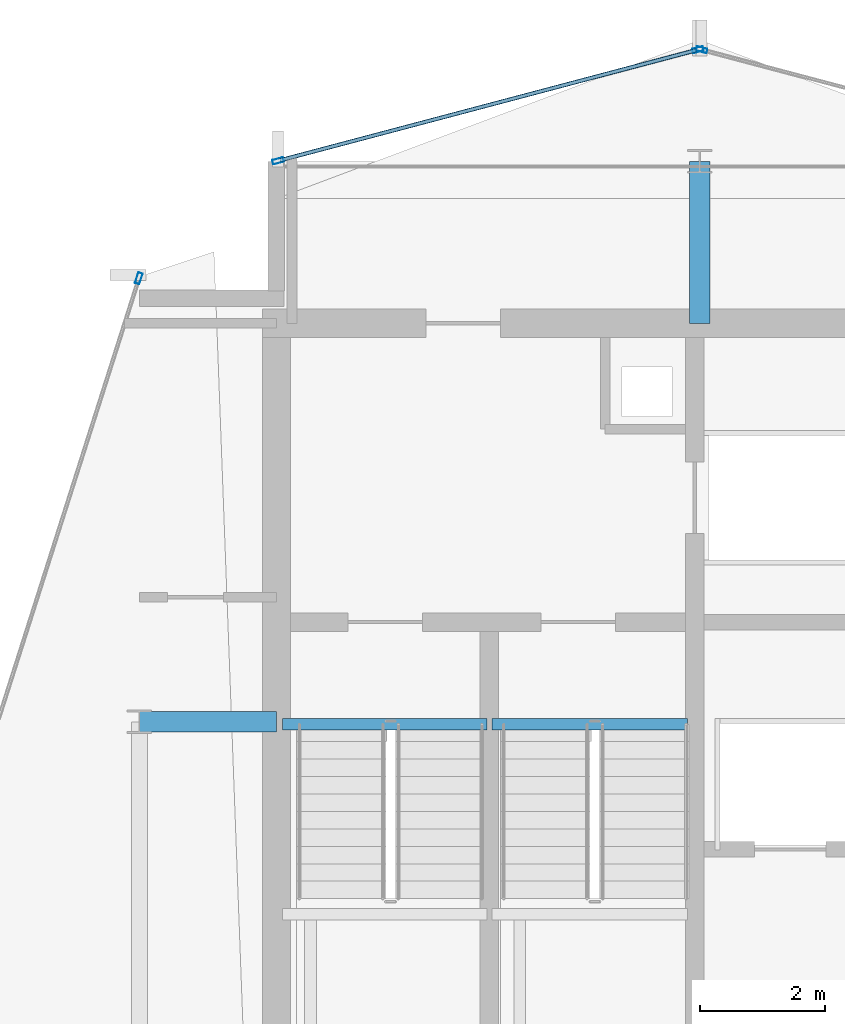
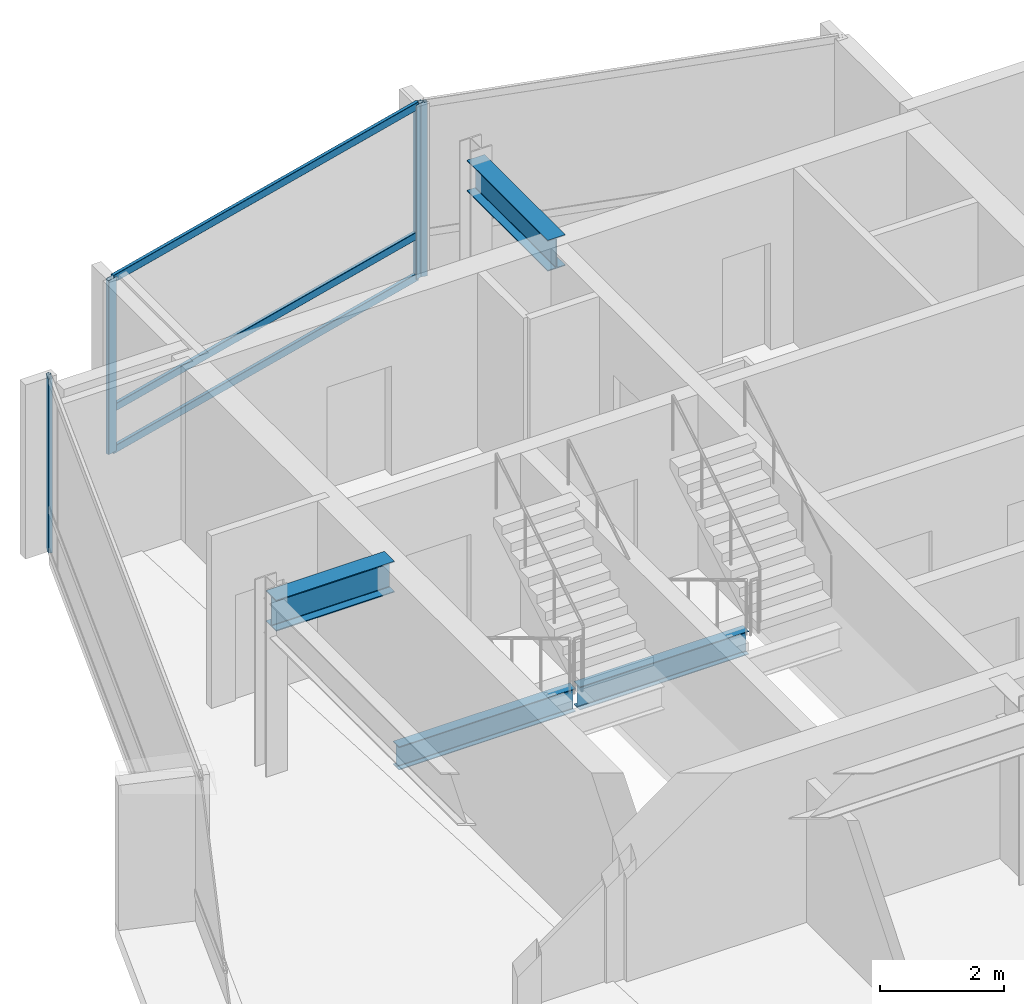
# One storey, part 11 of 19: 7 members, 4 beams, 3 elements without a shape of their own.
"""IFC4 building model written with IfcOpenShell, lengths in metres."""

from ifc_helpers import new_model, si_unit, direction, frame, origin, origin_2d, place, context, subcontext, project, spatial, hollow_rectangle, i_section, extrude, material, layer, layer_set, material_profile, profile_set, type_object, element, aggregate, save


model = new_model("IFC4")

# Units and contexts
model_context = context("Model", 3, precision=1e-05, world=origin(), true_north=direction((0.0, 1.0)))
body_context = subcontext(model_context, "Body", "Model", "MODEL_VIEW")
ifc_project = project(units=[si_unit("LENGTHUNIT", "METRE"), si_unit("AREAUNIT", "SQUARE_METRE"), si_unit("VOLUMEUNIT", "CUBIC_METRE"), si_unit("PLANEANGLEUNIT", "RADIAN"), si_unit("MASSUNIT", "GRAM", prefix="KILO")], contexts=[model_context])

# Site, building, storey
site_placement = place(None, origin())
site = spatial("IfcSite", under=ifc_project, at=site_placement, CompositionType="ELEMENT")
building_placement = place(site_placement, origin())
building = spatial("IfcBuilding", under=site, at=building_placement, Name="Solvaryn Broadcast Tower", CompositionType="ELEMENT")
storey_placement = place(building_placement, frame((0.0, 0.0, 277.800048828125)))
storey = spatial("IfcBuildingStorey", under=building, at=storey_placement, Name="L70", CompositionType="ELEMENT", Elevation=277.800048828125)

# Beams
ifc_material_1 = material(Name="Steel ASTM A992 Grade 50", Category="steel")
ifc_material_profile_1 = material_profile(ifc_material_1, i_section(OverallWidth=0.323974609375, OverallDepth=0.611083984375, WebThickness=0.0126953125, FlangeThickness=0.01904296875, FilletRadius=0.014892578125, at=origin_2d()))
ifc_profile_set_1 = profile_set([ifc_material_profile_1], Name="Steel ASTM A992 Grade 50")
beam_type_1 = type_object("IfcBeamType", Name="BM-B1-W24X104", PredefinedType="BEAM", material=ifc_profile_set_1)
beam_1_placement = place(storey_placement, frame((9.0, 36.0, 3.114501953125), z_axis=(1.0, 0.0, 0.0), x_axis=(0.0, 1.0, 0.0)))
element("IfcBeam", 1, at=beam_1_placement, inside=storey, type_object=beam_type_1, Name="L70 Core Tie Beam CTW1", PredefinedType="BEAM", context=body_context, shape_type="SweptSolid", body=[
    extrude(i_section(OverallWidth=0.323974609375, OverallDepth=0.611083984375, WebThickness=0.0126953125, FlangeThickness=0.01904296875, FilletRadius=0.014892578125, at=origin_2d()), origin(), (0.0, 0.0, 1.0), 2.199951171875),
])
beam_2_placement = place(storey_placement, frame((18.0, 42.39990234375, 3.114501953125), z_axis=(0.0, 1.0, 0.0), x_axis=(-1.0, 0.0, 0.0)))
element("IfcBeam", 2, at=beam_2_placement, inside=storey, type_object=beam_type_1, Name="L70 Core Tie Beam CTW3", PredefinedType="BEAM", context=body_context, shape_type="SweptSolid", body=[
    extrude(i_section(OverallWidth=0.323974609375, OverallDepth=0.611083984375, WebThickness=0.0126953125, FlangeThickness=0.01904296875, FilletRadius=0.014892578125, at=origin_2d()), origin(), (0.0, 0.0, 1.0), 2.60009765625),
])
ifc_material_2 = material(Name="Steel ASTM A992 Grade 50", Category="steel")
ifc_material_profile_2 = material_profile(ifc_material_2, i_section(OverallWidth=0.18994140625, OverallDepth=0.45703125, WebThickness=0.009033203125, FlangeThickness=0.014404296875, FilletRadius=0.011962890625, at=origin_2d()))
ifc_profile_set_2 = profile_set([ifc_material_profile_2], Name="Steel ASTM A992 Grade 50")
beam_type_2 = type_object("IfcBeamType", Name="BM-B4-W18X50", PredefinedType="BEAM", material=ifc_profile_set_2)
beam_3_placement = place(storey_placement, frame((11.300048828125, 35.9599609375, -0.508544921875), z_axis=(1.0, 0.0, 0.0), x_axis=(0.0, 1.0, 0.0)))
element("IfcBeam", 3, at=beam_3_placement, inside=storey, type_object=beam_type_2, Name="L70 ST1 Stair Well Trimmer Beam", PredefinedType="BEAM", context=body_context, shape_type="SweptSolid", body=[
    extrude(i_section(OverallWidth=0.18994140625, OverallDepth=0.45703125, WebThickness=0.009033203125, FlangeThickness=0.014404296875, FilletRadius=0.011962890625, at=origin_2d()), origin(), (0.0, 0.0, 1.0), 3.280029296875),
])
beam_4_placement = place(storey_placement, frame((14.659912109375, 35.9599609375, -0.508544921875), z_axis=(1.0, 0.0, 0.0), x_axis=(0.0, 1.0, 0.0)))
element("IfcBeam", 4, at=beam_4_placement, inside=storey, type_object=beam_type_2, Name="L70 ST2 Stair Well Trimmer Beam", PredefinedType="BEAM", context=body_context, shape_type="SweptSolid", body=[
    extrude(i_section(OverallWidth=0.18994140625, OverallDepth=0.45703125, WebThickness=0.009033203125, FlangeThickness=0.014404296875, FilletRadius=0.011962890625, at=origin_2d()), origin(), (0.0, 0.0, 1.0), 3.14013671875),
])

# Curtain wall, member
ifc_material_3 = material(Name="Aluminium and Terracotta Unitised Curtain Wall", Category="masonry")
ifc_layer = layer(ifc_material_3, 0.199951171875)
ifc_layer_set = layer_set([ifc_layer], Name="CW-SYS2-LOWMID")
curtain_wall_type = type_object("IfcCurtainWallType", Name="CW-SYS2-LOWMID", PredefinedType="NOTDEFINED", material=ifc_layer_set)
curtain_wall_1_placement = place(storey_placement, origin())
curtain_wall_1 = element("IfcCurtainWall", 5, at=curtain_wall_1_placement, inside=storey, type_object=curtain_wall_type, Name="L70 Curtain Wall DR1", PredefinedType="NOTDEFINED")
ifc_material_4 = material(Name="Anodised Aluminium 6063-T6", Category="aluminium")
ifc_material_profile_3 = material_profile(ifc_material_4, hollow_rectangle(XDim=0.074951171875, YDim=0.179931640625, WallThickness=0.00390625, InnerFilletRadius=0.00390625, OuterFilletRadius=0.008056640625, at=origin_2d()))
ifc_profile_set_3 = profile_set([ifc_material_profile_3], Name="Anodised Aluminium 6063-T6")
member_type_1 = type_object("IfcMemberType", Name="CW-MUL-180", PredefinedType="MULLION", material=ifc_profile_set_3)
member_1_placement = place(storey_placement, frame((8.990966796875, 43.120361328125, 0.0), z_axis=(0.0, 0.0, 1.0), x_axis=(0.952794594701, -0.30361564569, 0.0)))
member_1 = element("IfcMember", 6, at=member_1_placement, type_object=member_type_1, Name="CWS2 mullion 1", PredefinedType="MULLION", context=body_context, shape_type="SweptSolid", body=[
    extrude(hollow_rectangle(XDim=0.074951171875, YDim=0.179931640625, WallThickness=0.00390625, InnerFilletRadius=0.00390625, OuterFilletRadius=0.008056640625, at=origin_2d()), origin(), (0.0, 0.0, 1.0), 3.419921875),
])
aggregate(curtain_wall_1, [member_1])

curtain_wall_2_placement = place(storey_placement, origin())
curtain_wall_2 = element("IfcCurtainWall", 7, at=curtain_wall_2_placement, inside=storey, type_object=curtain_wall_type, Name="L70 Curtain Wall NT1", PredefinedType="NOTDEFINED")
member_2_placement = place(storey_placement, frame((18.029052734375, 46.792236328125, 0.0), z_axis=(0.0, 0.0, 1.0), x_axis=(-0.25589256031, -0.966705227863, 0.0)))
member_2 = element("IfcMember", 8, at=member_2_placement, type_object=member_type_1, Name="CWS2 mullion 2", PredefinedType="MULLION", context=body_context, shape_type="SweptSolid", body=[
    extrude(hollow_rectangle(XDim=0.074951171875, YDim=0.179931640625, WallThickness=0.00390625, InnerFilletRadius=0.00390625, OuterFilletRadius=0.008056640625, at=origin_2d()), origin(), (0.0, 0.0, 1.0), 3.419921875),
])
aggregate(curtain_wall_2, [member_2])

# Curtain wall, members
curtain_wall_3_placement = place(storey_placement, origin())
curtain_wall_3 = element("IfcCurtainWall", 9, at=curtain_wall_3_placement, inside=storey, type_object=curtain_wall_type, Name="L70 Curtain Wall NT2", PredefinedType="NOTDEFINED")
member_3_placement = place(storey_placement, frame((17.970947265625, 46.792236328125, 0.0), z_axis=(0.0, 0.0, 1.0), x_axis=(0.25589256031, -0.966705227863, 0.0)))
member_3 = element("IfcMember", 10, at=member_3_placement, type_object=member_type_1, Name="CWS2 mullion 1", PredefinedType="MULLION", context=body_context, shape_type="SweptSolid", body=[
    extrude(hollow_rectangle(XDim=0.074951171875, YDim=0.179931640625, WallThickness=0.00390625, InnerFilletRadius=0.00390625, OuterFilletRadius=0.008056640625, at=origin_2d()), origin(), (0.0, 0.0, 1.0), 3.419921875),
])
member_4_placement = place(storey_placement, frame((11.22900390625, 45.007568359375, 0.0), z_axis=(0.0, 0.0, 1.0), x_axis=(0.25589256031, -0.966705227863, 0.0)))
member_4 = element("IfcMember", 11, at=member_4_placement, type_object=member_type_1, Name="CWS2 mullion 2", PredefinedType="MULLION", context=body_context, shape_type="SweptSolid", body=[
    extrude(hollow_rectangle(XDim=0.074951171875, YDim=0.179931640625, WallThickness=0.00390625, InnerFilletRadius=0.00390625, OuterFilletRadius=0.008056640625, at=origin_2d()), origin(), (0.0, 0.0, 1.0), 3.419921875),
])
ifc_material_5 = material(Name="Anodised Aluminium 6063-T6", Category="aluminium")
ifc_material_profile_4 = material_profile(ifc_material_5, hollow_rectangle(XDim=0.06494140625, YDim=0.14990234375, WallThickness=0.00390625, InnerFilletRadius=0.00390625, OuterFilletRadius=0.008056640625, at=origin_2d()))
ifc_profile_set_4 = profile_set([ifc_material_profile_4], Name="Anodised Aluminium 6063-T6")
member_type_2 = type_object("IfcMemberType", Name="CW-TRN-150", PredefinedType="USERDEFINED", material=ifc_profile_set_4)
member_5_placement = place(storey_placement, frame((17.94189453125, 46.78466796875, 0.030029296875), z_axis=(-0.966703943301, -0.255897413051, 0.0), x_axis=(0.255897413051, -0.966703943301, 0.0)))
member_5 = element("IfcMember", 12, at=member_5_placement, type_object=member_type_2, Name="CWS2 transom 1.1", ObjectType="TRANSOM", PredefinedType="USERDEFINED", context=body_context, shape_type="SweptSolid", body=[
    extrude(hollow_rectangle(XDim=0.06494140625, YDim=0.14990234375, WallThickness=0.00390625, InnerFilletRadius=0.00390625, OuterFilletRadius=0.008056640625, at=origin_2d()), origin(), (0.0, 0.0, 1.0), 6.9140625),
])
member_6_placement = place(storey_placement, frame((17.94189453125, 46.78466796875, 0.849853515625), z_axis=(-0.966703943301, -0.255897413051, 0.0), x_axis=(0.255897413051, -0.966703943301, 0.0)))
member_6 = element("IfcMember", 13, at=member_6_placement, type_object=member_type_2, Name="CWS2 transom 1.2", ObjectType="TRANSOM", PredefinedType="USERDEFINED", context=body_context, shape_type="SweptSolid", body=[
    extrude(hollow_rectangle(XDim=0.06494140625, YDim=0.14990234375, WallThickness=0.00390625, InnerFilletRadius=0.00390625, OuterFilletRadius=0.008056640625, at=origin_2d()), origin(), (0.0, 0.0, 1.0), 6.9140625),
])
member_7_placement = place(storey_placement, frame((17.94189453125, 46.78466796875, 3.389892578125), z_axis=(-0.966703943301, -0.255897413051, 0.0), x_axis=(0.255897413051, -0.966703943301, 0.0)))
member_7 = element("IfcMember", 14, at=member_7_placement, type_object=member_type_2, Name="CWS2 transom 1.3", ObjectType="TRANSOM", PredefinedType="USERDEFINED", context=body_context, shape_type="SweptSolid", body=[
    extrude(hollow_rectangle(XDim=0.06494140625, YDim=0.14990234375, WallThickness=0.00390625, InnerFilletRadius=0.00390625, OuterFilletRadius=0.008056640625, at=origin_2d()), origin(), (0.0, 0.0, 1.0), 6.9140625),
])
aggregate(curtain_wall_3, [member_3, member_4, member_5, member_6, member_7])

save(model, "model.ifc")
